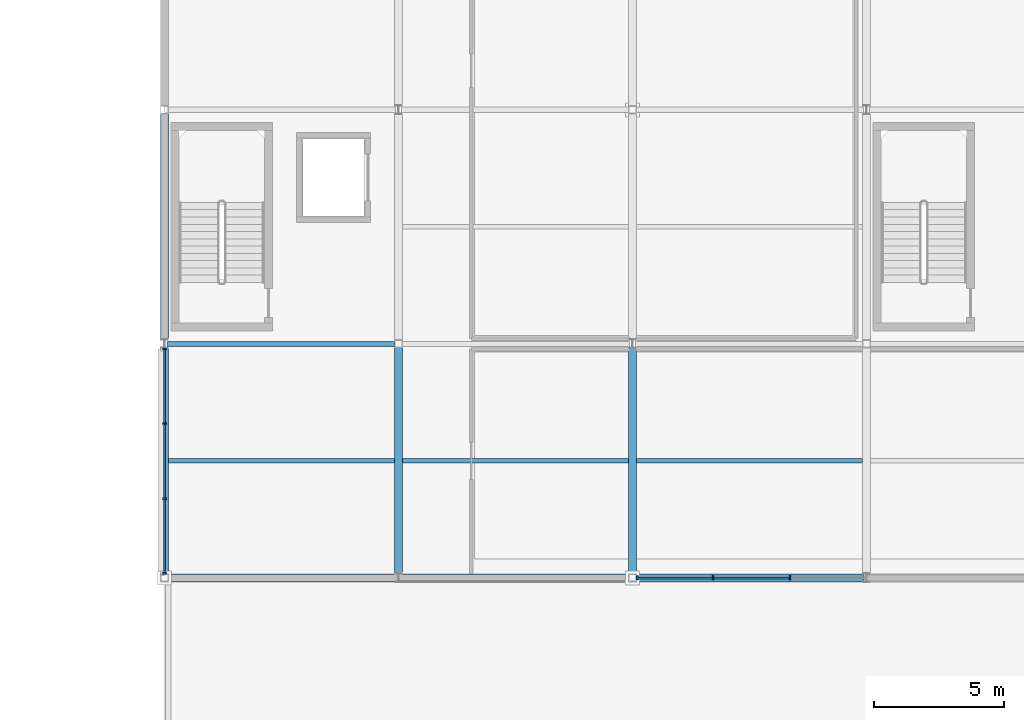
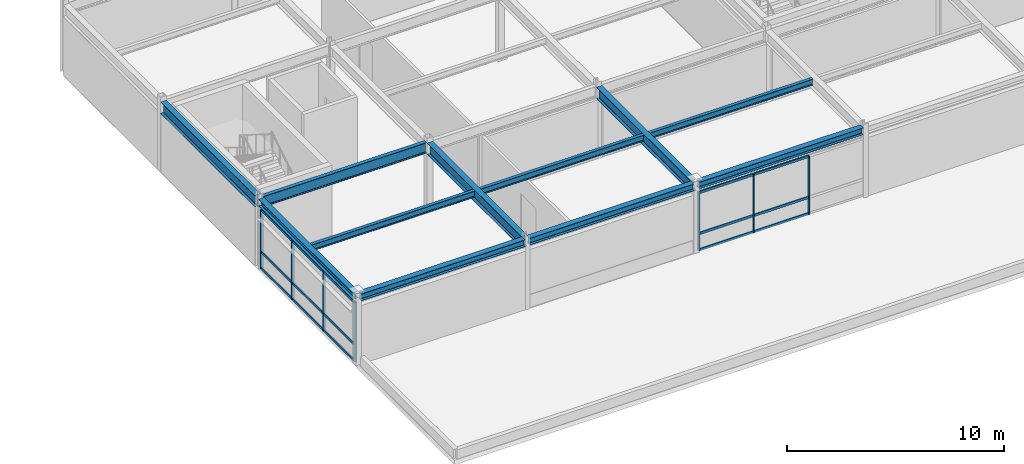
# One storey, part 52 of 108: 22 members, 11 beams, 2 elements without a shape of their own.
"""IFC4 building model written with IfcOpenShell, lengths in metres."""

from ifc_helpers import new_model, si_unit, direction, frame, origin, origin_2d, place, context, subcontext, project, spatial, rectangle, i_section, extrude, material, material_profile, profile_set, type_object, element, aggregate, save


model = new_model("IFC4")

# Units and contexts
model_context = context("Model", 3, precision=1e-05, world=origin(), true_north=direction((0.0, 1.0)))
body_context = subcontext(model_context, "Body", "Model", "MODEL_VIEW")
ifc_project = project(units=[si_unit("LENGTHUNIT", "METRE"), si_unit("AREAUNIT", "SQUARE_METRE"), si_unit("VOLUMEUNIT", "CUBIC_METRE"), si_unit("PLANEANGLEUNIT", "RADIAN"), si_unit("MASSUNIT", "GRAM", prefix="KILO")], contexts=[model_context])

# Site, building, storey
site_placement = place(None, origin())
site = spatial("IfcSite", under=ifc_project, at=site_placement, CompositionType="ELEMENT")
building_placement = place(site_placement, origin())
building = spatial("IfcBuilding", under=site, at=building_placement, Name="Suzunagisa Mobility Hub", CompositionType="ELEMENT")
storey_placement = place(building_placement, frame((0.0, 0.0, 9.300048828125)))
storey = spatial("IfcBuildingStorey", under=building, at=storey_placement, Name="L02", CompositionType="ELEMENT", Elevation=9.300048828125)

# Curtain wall, members
ifc_material_1 = material(Name="Thermally Broken Anodized Aluminum and Low-E Glazing", Category="aluminium")
curtain_wall_type = type_object("IfcCurtainWallType", Name="Unitised Curtain Wall CW-12 8750x3300", PredefinedType="USERDEFINED", material=ifc_material_1)
curtain_wall_1_placement = place(storey_placement, origin())
curtain_wall_1 = element("IfcCurtainWall", 1, at=curtain_wall_1_placement, inside=storey, type_object=curtain_wall_type, Name="L02 Unitised Curtain Wall CW-155", ObjectType="UNITISED CURTAIN WALL", PredefinedType="USERDEFINED")
ifc_material_2 = material(Name="Anodized Aluminum 6063-T6", Category="aluminium")
ifc_material_profile_1 = material_profile(ifc_material_2, rectangle(XDim=0.06494140625, YDim=0.139892578125, at=origin_2d()), Name="TRAN-65x140")
ifc_profile_set_1 = profile_set([ifc_material_profile_1], Name="Anodized Aluminum 6063-T6")
member_type_1 = type_object("IfcMemberType", Name="Curtain Wall Framing CM-01 TRAN-65x140", PredefinedType="USERDEFINED", material=ifc_profile_set_1)
member_1_placement = place(storey_placement, frame((153.2080078125, 9.0, 0.032470703125), z_axis=(1.0, 0.0, 0.0), x_axis=(0.0, 1.0, 0.0)))
member_1 = element("IfcMember", 2, at=member_1_placement, type_object=member_type_1, Name="Curtain Wall Transom 155-T1.1", ObjectType="TRANSOM", PredefinedType="USERDEFINED", context=body_context, shape_type="SweptSolid", body=[
    extrude(rectangle(XDim=0.06494140625, YDim=0.139892578125, at=origin_2d()), origin(), (0.0, 0.0, 1.0), 2.862548828125),
])
member_2_placement = place(storey_placement, frame((153.2080078125, 9.0, 0.949951171875), z_axis=(1.0, 0.0, 0.0), x_axis=(0.0, 1.0, 0.0)))
member_2 = element("IfcMember", 3, at=member_2_placement, type_object=member_type_1, Name="Curtain Wall Transom 155-T1.2", ObjectType="TRANSOM", PredefinedType="USERDEFINED", context=body_context, shape_type="SweptSolid", body=[
    extrude(rectangle(XDim=0.06494140625, YDim=0.139892578125, at=origin_2d()), origin(), (0.0, 0.0, 1.0), 2.862548828125),
])
member_3_placement = place(storey_placement, frame((153.2080078125, 9.0, 3.257568359375), z_axis=(1.0, 0.0, 0.0), x_axis=(0.0, 1.0, 0.0)))
member_3 = element("IfcMember", 4, at=member_3_placement, type_object=member_type_1, Name="Curtain Wall Transom 155-T1.3", ObjectType="TRANSOM", PredefinedType="USERDEFINED", context=body_context, shape_type="SweptSolid", body=[
    extrude(rectangle(XDim=0.06494140625, YDim=0.139892578125, at=origin_2d()), origin(), (0.0, 0.0, 1.0), 2.862548828125),
])
member_4_placement = place(storey_placement, frame((156.12646484375, 9.0, 0.032470703125), z_axis=(1.0, 0.0, 0.0), x_axis=(0.0, 1.0, 0.0)))
member_4 = element("IfcMember", 5, at=member_4_placement, type_object=member_type_1, Name="Curtain Wall Transom 155-T2.1", ObjectType="TRANSOM", PredefinedType="USERDEFINED", context=body_context, shape_type="SweptSolid", body=[
    extrude(rectangle(XDim=0.06494140625, YDim=0.139892578125, at=origin_2d()), origin(), (0.0, 0.0, 1.0), 2.892578125),
])
member_5_placement = place(storey_placement, frame((156.12646484375, 9.0, 0.949951171875), z_axis=(1.0, 0.0, 0.0), x_axis=(0.0, 1.0, 0.0)))
member_5 = element("IfcMember", 6, at=member_5_placement, type_object=member_type_1, Name="Curtain Wall Transom 155-T2.2", ObjectType="TRANSOM", PredefinedType="USERDEFINED", context=body_context, shape_type="SweptSolid", body=[
    extrude(rectangle(XDim=0.06494140625, YDim=0.139892578125, at=origin_2d()), origin(), (0.0, 0.0, 1.0), 2.892578125),
])
member_6_placement = place(storey_placement, frame((156.12646484375, 9.0, 3.257568359375), z_axis=(1.0, 0.0, 0.0), x_axis=(0.0, 1.0, 0.0)))
member_6 = element("IfcMember", 7, at=member_6_placement, type_object=member_type_1, Name="Curtain Wall Transom 155-T2.3", ObjectType="TRANSOM", PredefinedType="USERDEFINED", context=body_context, shape_type="SweptSolid", body=[
    extrude(rectangle(XDim=0.06494140625, YDim=0.139892578125, at=origin_2d()), origin(), (0.0, 0.0, 1.0), 2.892578125),
])

curtain_wall_2_placement = place(storey_placement, origin())
curtain_wall_2 = element("IfcCurtainWall", 8, at=curtain_wall_2_placement, inside=storey, type_object=curtain_wall_type, Name="L02 Unitised Curtain Wall CW-162", ObjectType="UNITISED CURTAIN WALL", PredefinedType="USERDEFINED")
member_7_placement = place(storey_placement, frame((135.0, 17.77197265625, 0.032470703125), z_axis=(0.0, -1.0, 0.0), x_axis=(1.0, 0.0, 0.0)))
member_7 = element("IfcMember", 9, at=member_7_placement, type_object=member_type_1, Name="Curtain Wall Transom 162-T1.1", ObjectType="TRANSOM", PredefinedType="USERDEFINED", context=body_context, shape_type="SweptSolid", body=[
    extrude(rectangle(XDim=0.06494140625, YDim=0.139892578125, at=origin_2d()), origin(), (0.0, 0.0, 1.0), 2.807373046875),
])
member_8_placement = place(storey_placement, frame((135.0, 17.77197265625, 0.949951171875), z_axis=(0.0, -1.0, 0.0), x_axis=(1.0, 0.0, 0.0)))
member_8 = element("IfcMember", 10, at=member_8_placement, type_object=member_type_1, Name="Curtain Wall Transom 162-T1.2", ObjectType="TRANSOM", PredefinedType="USERDEFINED", context=body_context, shape_type="SweptSolid", body=[
    extrude(rectangle(XDim=0.06494140625, YDim=0.139892578125, at=origin_2d()), origin(), (0.0, 0.0, 1.0), 2.807373046875),
])
member_9_placement = place(storey_placement, frame((135.0, 17.77197265625, 3.307373046875), z_axis=(0.0, -1.0, 0.0), x_axis=(1.0, 0.0, 0.0)))
member_9 = element("IfcMember", 11, at=member_9_placement, type_object=member_type_1, Name="Curtain Wall Transom 162-T1.3", ObjectType="TRANSOM", PredefinedType="USERDEFINED", context=body_context, shape_type="SweptSolid", body=[
    extrude(rectangle(XDim=0.06494140625, YDim=0.139892578125, at=origin_2d()), origin(), (0.0, 0.0, 1.0), 2.807373046875),
])
member_10_placement = place(storey_placement, frame((135.0, 14.90869140625, 0.032470703125), z_axis=(0.0, -1.0, 0.0), x_axis=(1.0, 0.0, 0.0)))
member_10 = element("IfcMember", 12, at=member_10_placement, type_object=member_type_1, Name="Curtain Wall Transom 162-T2.1", ObjectType="TRANSOM", PredefinedType="USERDEFINED", context=body_context, shape_type="SweptSolid", body=[
    extrude(rectangle(XDim=0.06494140625, YDim=0.139892578125, at=origin_2d()), origin(), (0.0, 0.0, 1.0), 2.83740234375),
])
member_11_placement = place(storey_placement, frame((135.0, 14.90869140625, 0.949951171875), z_axis=(0.0, -1.0, 0.0), x_axis=(1.0, 0.0, 0.0)))
member_11 = element("IfcMember", 13, at=member_11_placement, type_object=member_type_1, Name="Curtain Wall Transom 162-T2.2", ObjectType="TRANSOM", PredefinedType="USERDEFINED", context=body_context, shape_type="SweptSolid", body=[
    extrude(rectangle(XDim=0.06494140625, YDim=0.139892578125, at=origin_2d()), origin(), (0.0, 0.0, 1.0), 2.83740234375),
])
member_12_placement = place(storey_placement, frame((135.0, 14.90869140625, 3.307373046875), z_axis=(0.0, -1.0, 0.0), x_axis=(1.0, 0.0, 0.0)))
member_12 = element("IfcMember", 14, at=member_12_placement, type_object=member_type_1, Name="Curtain Wall Transom 162-T2.3", ObjectType="TRANSOM", PredefinedType="USERDEFINED", context=body_context, shape_type="SweptSolid", body=[
    extrude(rectangle(XDim=0.06494140625, YDim=0.139892578125, at=origin_2d()), origin(), (0.0, 0.0, 1.0), 2.83740234375),
])
member_13_placement = place(storey_placement, frame((135.0, 12.015380859375, 0.032470703125), z_axis=(0.0, -1.0, 0.0), x_axis=(1.0, 0.0, 0.0)))
member_13 = element("IfcMember", 15, at=member_13_placement, type_object=member_type_1, Name="Curtain Wall Transom 162-T3.1", ObjectType="TRANSOM", PredefinedType="USERDEFINED", context=body_context, shape_type="SweptSolid", body=[
    extrude(rectangle(XDim=0.06494140625, YDim=0.139892578125, at=origin_2d()), origin(), (0.0, 0.0, 1.0), 2.807373046875),
])
member_14_placement = place(storey_placement, frame((135.0, 12.015380859375, 0.949951171875), z_axis=(0.0, -1.0, 0.0), x_axis=(1.0, 0.0, 0.0)))
member_14 = element("IfcMember", 16, at=member_14_placement, type_object=member_type_1, Name="Curtain Wall Transom 162-T3.2", ObjectType="TRANSOM", PredefinedType="USERDEFINED", context=body_context, shape_type="SweptSolid", body=[
    extrude(rectangle(XDim=0.06494140625, YDim=0.139892578125, at=origin_2d()), origin(), (0.0, 0.0, 1.0), 2.807373046875),
])
member_15_placement = place(storey_placement, frame((135.0, 12.015380859375, 3.307373046875), z_axis=(0.0, -1.0, 0.0), x_axis=(1.0, 0.0, 0.0)))
member_15 = element("IfcMember", 17, at=member_15_placement, type_object=member_type_1, Name="Curtain Wall Transom 162-T3.3", ObjectType="TRANSOM", PredefinedType="USERDEFINED", context=body_context, shape_type="SweptSolid", body=[
    extrude(rectangle(XDim=0.06494140625, YDim=0.139892578125, at=origin_2d()), origin(), (0.0, 0.0, 1.0), 2.807373046875),
])

# Member
ifc_material_profile_2 = material_profile(ifc_material_2, rectangle(XDim=0.06005859375, YDim=0.14990234375, at=origin_2d()), Name="MULL-60x150")
ifc_profile_set_2 = profile_set([ifc_material_profile_2], Name="Anodized Aluminum 6063-T6")
member_type_2 = type_object("IfcMemberType", Name="Curtain Wall Framing CM-03 MULL-60x150", PredefinedType="MULLION", material=ifc_profile_set_2)
member_16_placement = place(storey_placement, frame((153.179931640625, 9.0, 0.0), z_axis=(0.0, 0.0, 1.0), x_axis=(1.0, 0.0, 0.0)))
member_16 = element("IfcMember", 18, at=member_16_placement, type_object=member_type_2, Name="Curtain Wall Mullion 155-M1", PredefinedType="MULLION", context=body_context, shape_type="SweptSolid", body=[
    extrude(rectangle(XDim=0.06005859375, YDim=0.14990234375, at=origin_2d()), origin(), (0.0, 0.0, 1.0), 3.2900390625),
])

member_17_placement = place(storey_placement, frame((156.098388671875, 9.0, 0.0), z_axis=(0.0, 0.0, 1.0), x_axis=(1.0, 0.0, 0.0)))
member_17 = element("IfcMember", 19, at=member_17_placement, type_object=member_type_2, Name="Curtain Wall Mullion 155-M2", PredefinedType="MULLION", context=body_context, shape_type="SweptSolid", body=[
    extrude(rectangle(XDim=0.06005859375, YDim=0.14990234375, at=origin_2d()), origin(), (0.0, 0.0, 1.0), 3.2900390625),
])

member_18_placement = place(storey_placement, frame((159.047119140625, 9.0, 0.0), z_axis=(0.0, 0.0, 1.0), x_axis=(1.0, 0.0, 0.0)))
member_18 = element("IfcMember", 20, at=member_18_placement, type_object=member_type_2, Name="Curtain Wall Mullion 155-M3", PredefinedType="MULLION", context=body_context, shape_type="SweptSolid", body=[
    extrude(rectangle(XDim=0.06005859375, YDim=0.14990234375, at=origin_2d()), origin(), (0.0, 0.0, 1.0), 3.2900390625),
])

aggregate(curtain_wall_1, [member_16, member_17, member_18, member_1, member_2, member_3, member_4, member_5, member_6])

member_19_placement = place(storey_placement, frame((135.0, 17.800048828125, 0.0), z_axis=(0.0, 0.0, 1.0), x_axis=(0.0, -1.0, 0.0)))
member_19 = element("IfcMember", 21, at=member_19_placement, type_object=member_type_2, Name="Curtain Wall Mullion 162-M1", PredefinedType="MULLION", context=body_context, shape_type="SweptSolid", body=[
    extrude(rectangle(XDim=0.06005859375, YDim=0.14990234375, at=origin_2d()), origin(), (0.0, 0.0, 1.0), 3.33984375),
])

member_20_placement = place(storey_placement, frame((135.0, 14.936767578125, 0.0), z_axis=(0.0, 0.0, 1.0), x_axis=(0.0, -1.0, 0.0)))
member_20 = element("IfcMember", 22, at=member_20_placement, type_object=member_type_2, Name="Curtain Wall Mullion 162-M2", PredefinedType="MULLION", context=body_context, shape_type="SweptSolid", body=[
    extrude(rectangle(XDim=0.06005859375, YDim=0.14990234375, at=origin_2d()), origin(), (0.0, 0.0, 1.0), 3.33984375),
])

member_21_placement = place(storey_placement, frame((135.0, 12.043212890625, 0.0), z_axis=(0.0, 0.0, 1.0), x_axis=(0.0, -1.0, 0.0)))
member_21 = element("IfcMember", 23, at=member_21_placement, type_object=member_type_2, Name="Curtain Wall Mullion 162-M3", PredefinedType="MULLION", context=body_context, shape_type="SweptSolid", body=[
    extrude(rectangle(XDim=0.06005859375, YDim=0.14990234375, at=origin_2d()), origin(), (0.0, 0.0, 1.0), 3.33984375),
])

member_22_placement = place(storey_placement, frame((135.0, 9.179931640625, 0.0), z_axis=(0.0, 0.0, 1.0), x_axis=(0.0, -1.0, 0.0)))
member_22 = element("IfcMember", 24, at=member_22_placement, type_object=member_type_2, Name="Curtain Wall Mullion 162-M4", PredefinedType="MULLION", context=body_context, shape_type="SweptSolid", body=[
    extrude(rectangle(XDim=0.06005859375, YDim=0.14990234375, at=origin_2d()), origin(), (0.0, 0.0, 1.0), 3.33984375),
])

aggregate(curtain_wall_2, [member_19, member_20, member_21, member_22, member_7, member_8, member_9, member_10, member_11, member_12, member_13, member_14, member_15])

# Beams
ifc_material_3 = material(Name="Steel SN400B", Category="steel")
ifc_material_profile_3 = material_profile(ifc_material_3, i_section(OverallWidth=0.175048828125, OverallDepth=0.35009765625, WebThickness=0.007080078125, FlangeThickness=0.010986328125, FilletRadius=0.008056640625, at=origin_2d()), Name="H-350x175x7x11")
ifc_profile_set_3 = profile_set([ifc_material_profile_3], Name="Steel SN400B")
beam_type_1 = type_object("IfcBeamType", Name="Steel Beam BM-03 H-350x175x7x11", PredefinedType="JOIST", material=ifc_profile_set_3)
for number, where, z_axis, x_axis, name in (
    (25, (135.14990234375, 13.5, 3.764892578125), (1.0, 0.0, 0.0), (0.0, 1.0, 0.0), "L02 Composite Floor Joist J-1580"),
    (26, (144.14990234375, 13.5, 3.764892578125), (1.0, 0.0, 0.0), (0.0, 1.0, 0.0), "L02 Composite Floor Joist J-1581"),
    (27, (153.14990234375, 13.5, 3.764892578125), (1.0, 0.0, 0.0), (0.0, 1.0, 0.0), "L02 Composite Floor Joist J-1582"),
):
    element("IfcBeam", number, at=place(storey_placement, frame(where, z_axis=z_axis, x_axis=x_axis)), inside=storey, type_object=beam_type_1, Name=name, PredefinedType="JOIST", context=body_context, shape_type="SweptSolid", body=[
        extrude(i_section(OverallWidth=0.175048828125, OverallDepth=0.35009765625, WebThickness=0.007080078125, FlangeThickness=0.010986328125, FilletRadius=0.008056640625, at=origin_2d()), origin(), (0.0, 0.0, 1.0), 8.7001953125),
    ])
ifc_material_4 = material(Name="Steel SN490B", Category="steel")
ifc_material_profile_4 = material_profile(ifc_material_4, i_section(OverallWidth=0.199951171875, OverallDepth=0.60009765625, WebThickness=0.010986328125, FlangeThickness=0.01708984375, FilletRadius=0.012939453125, at=origin_2d()), Name="H-600x200x11x17")
ifc_profile_set_4 = profile_set([ifc_material_profile_4], Name="Steel SN490B")
beam_type_2 = type_object("IfcBeamType", Name="Steel Beam BM-07 H-600x200x11x17", PredefinedType="BEAM", material=ifc_profile_set_4)
beam_1_placement = place(storey_placement, frame((135.12109375, 18.0, 3.639892578125), z_axis=(1.0, 0.0, 0.0), x_axis=(0.0, 1.0, 0.0)))
element("IfcBeam", 28, at=beam_1_placement, inside=storey, type_object=beam_type_2, Name="L02 Primary Girder GX-1535", PredefinedType="BEAM", context=body_context, shape_type="SweptSolid", body=[
    extrude(i_section(OverallWidth=0.199951171875, OverallDepth=0.60009765625, WebThickness=0.010986328125, FlangeThickness=0.01708984375, FilletRadius=0.012939453125, at=origin_2d()), origin(), (0.0, 0.0, 1.0), 8.73291015625),
])
ifc_material_profile_5 = material_profile(ifc_material_4, i_section(OverallWidth=0.300048828125, OverallDepth=0.64990234375, WebThickness=0.012939453125, FlangeThickness=0.02197265625, FilletRadius=0.01611328125, at=origin_2d()), Name="H-650x300x13x22")
ifc_profile_set_5 = profile_set([ifc_material_profile_5], Name="Steel SN490B")
beam_type_3 = type_object("IfcBeamType", Name="Steel Beam BM-10 H-650x300x13x22", PredefinedType="BEAM", material=ifc_profile_set_5)
for number, where, z_axis, x_axis, name in (
    (29, (135.0, 18.166015625, 3.614990234375), (0.0, 1.0, 0.0), (-1.0, 0.0, 0.0), "L02 Primary Girder GY-1549"),
    (30, (144.0, 9.166015625, 3.614990234375), (0.0, 1.0, 0.0), (-1.0, 0.0, 0.0), "L02 Primary Girder GY-1574"),
    (31, (153.0, 9.14599609375, 3.614990234375), (0.0, 1.0, 0.0), (-1.0, 0.0, 0.0), "L02 Primary Girder GY-1575"),
):
    element("IfcBeam", number, at=place(storey_placement, frame(where, z_axis=z_axis, x_axis=x_axis)), inside=storey, type_object=beam_type_3, Name=name, PredefinedType="BEAM", context=body_context, shape_type="SweptSolid", body=[
        extrude(i_section(OverallWidth=0.300048828125, OverallDepth=0.64990234375, WebThickness=0.012939453125, FlangeThickness=0.02197265625, FilletRadius=0.01611328125, at=origin_2d()), origin(), (0.0, 0.0, 1.0), 8.68798828125),
    ])
ifc_material_profile_6 = material_profile(ifc_material_4, i_section(OverallWidth=0.300048828125, OverallDepth=0.389892578125, WebThickness=0.010009765625, FlangeThickness=0.01611328125, FilletRadius=0.012939453125, at=origin_2d()), Name="H-390x300x10x16")
ifc_profile_set_6 = profile_set([ifc_material_profile_6], Name="Steel SN490B")
beam_type_4 = type_object("IfcBeamType", Name="Steel Beam BM-13 H-390x300x10x16", PredefinedType="SPANDREL", material=ifc_profile_set_6)
for number, where, z_axis, x_axis, name in (
    (32, (135.14599609375, 9.0, 3.744873046875), (1.0, 0.0, 0.0), (0.0, 1.0, 0.0), "L02 Primary Girder GX-1568"),
    (33, (144.12109375, 9.0, 3.744873046875), (1.0, 0.0, 0.0), (0.0, 1.0, 0.0), "L02 Primary Girder GX-1569"),
    (34, (153.14599609375, 9.0, 3.744873046875), (1.0, 0.0, 0.0), (0.0, 1.0, 0.0), "L02 Primary Girder GX-1570"),
):
    element("IfcBeam", number, at=place(storey_placement, frame(where, z_axis=z_axis, x_axis=x_axis)), inside=storey, type_object=beam_type_4, Name=name, PredefinedType="SPANDREL", context=body_context, shape_type="SweptSolid", body=[
        extrude(i_section(OverallWidth=0.300048828125, OverallDepth=0.389892578125, WebThickness=0.010009765625, FlangeThickness=0.01611328125, FilletRadius=0.012939453125, at=origin_2d()), origin(), (0.0, 0.0, 1.0), 8.73291015625),
    ])
beam_2_placement = place(storey_placement, frame((135.0, 9.14599609375, 3.744873046875), z_axis=(0.0, 1.0, 0.0), x_axis=(-1.0, 0.0, 0.0)))
element("IfcBeam", 35, at=beam_2_placement, inside=storey, type_object=beam_type_4, Name="L02 Primary Girder GY-1573", PredefinedType="SPANDREL", context=body_context, shape_type="SweptSolid", body=[
    extrude(i_section(OverallWidth=0.300048828125, OverallDepth=0.389892578125, WebThickness=0.010009765625, FlangeThickness=0.01611328125, FilletRadius=0.012939453125, at=origin_2d()), origin(), (0.0, 0.0, 1.0), 8.68798828125),
])

save(model, "model.ifc")
